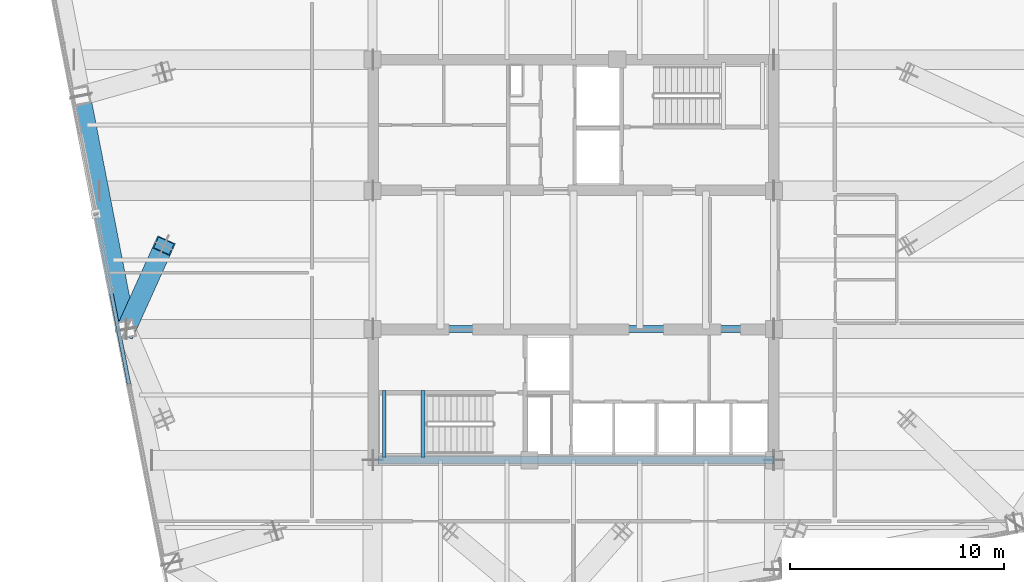
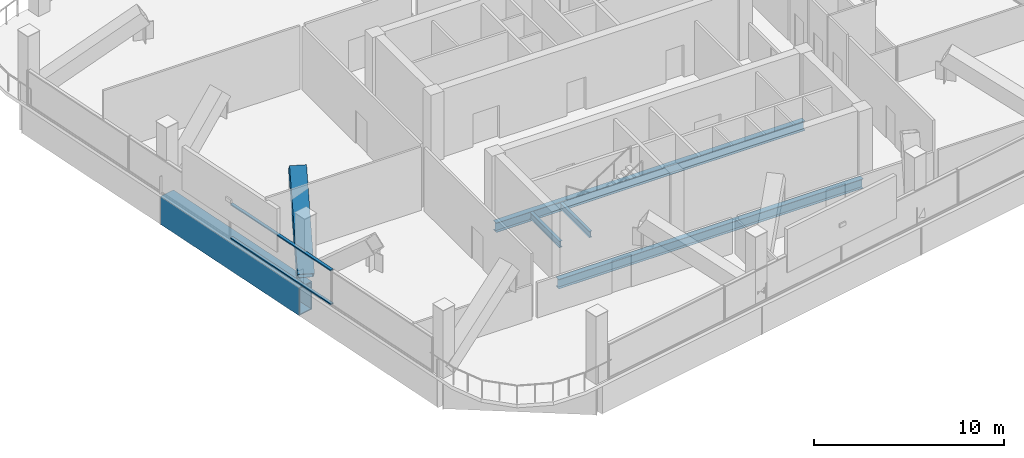
# One storey, part 5 of 26: 5 beams, 3 members, 1 element without a shape of its own.
"""IFC4 building model written with IfcOpenShell, lengths in metres."""

from ifc_helpers import new_model, si_unit, direction, frame, origin, origin_2d, place, context, subcontext, project, spatial, hollow_rectangle, i_section, extrude, material, layer, layer_set, material_profile, profile_set, type_object, element, aggregate, save


model = new_model("IFC4")

# Units and contexts
model_context = context("Model", 3, precision=1e-05, world=origin(), true_north=direction((0.0, 1.0)))
body_context = subcontext(model_context, "Body", "Model", "MODEL_VIEW")
ifc_project = project(units=[si_unit("LENGTHUNIT", "METRE"), si_unit("AREAUNIT", "SQUARE_METRE"), si_unit("VOLUMEUNIT", "CUBIC_METRE"), si_unit("PLANEANGLEUNIT", "RADIAN"), si_unit("MASSUNIT", "GRAM", prefix="KILO")], contexts=[model_context])

# Site, building, storey
site_placement = place(None, origin())
site = spatial("IfcSite", under=ifc_project, at=site_placement, CompositionType="ELEMENT")
building_placement = place(site_placement, origin())
building = spatial("IfcBuilding", under=site, at=building_placement, Name="Qhalaya Broadcast Tower", CompositionType="ELEMENT")
storey_placement = place(building_placement, frame((0.0, 0.0, 140.25)))
storey = spatial("IfcBuildingStorey", under=building, at=storey_placement, Name="L41", CompositionType="ELEMENT", Elevation=140.25)

# Beams
ifc_material_1 = material(Name="Structural Steel ASTM A572 Grade 50", Category="steel")
ifc_material_profile_1 = material_profile(ifc_material_1, hollow_rectangle(XDim=0.89990234375, YDim=1.800048828125, WallThickness=0.06005859375, at=origin_2d()), Name="BOX 900x1800x60")
ifc_profile_set_1 = profile_set([ifc_material_profile_1], Name="Structural Steel ASTM A572 Grade 50")
beam_type_1 = type_object("IfcBeamType", Name="Block Cantilever Transfer Box Girder TG1", PredefinedType="USERDEFINED", material=ifc_profile_set_1)
beam_1_placement = place(storey_placement, frame((-22.998291015625, 8.263427734375, -1.1201171875), z_axis=(0.190804900759, -0.981627979352, 0.0), x_axis=(0.981627979352, 0.190804900759, 0.0)))
element("IfcBeam", 1, at=beam_1_placement, inside=storey, type_object=beam_type_1, Name="L41 TG1 L41-SPR-14", ObjectType="GIRDER", PredefinedType="USERDEFINED", context=body_context, shape_type="SweptSolid", body=[
    extrude(hollow_rectangle(XDim=0.89990234375, YDim=1.800048828125, WallThickness=0.06005859375, at=origin_2d()), origin(), (0.0, 0.0, 1.0), 11.099853515625),
])
ifc_material_2 = material(Name="Structural Steel ASTM A992 Grade 50", Category="steel")
ifc_material_profile_2 = material_profile(ifc_material_2, i_section(OverallWidth=0.323974609375, OverallDepth=0.612060546875, WebThickness=0.0126953125, FlangeThickness=0.01904296875, at=origin_2d()), Name="W24X104")
ifc_profile_set_2 = profile_set([ifc_material_profile_2], Name="Structural Steel ASTM A992 Grade 50")
beam_type_2 = type_object("IfcBeamType", Name="Core Frame Tie Beam B04", PredefinedType="BEAM", material=ifc_profile_set_2)
beam_2_placement = place(storey_placement, frame((-9.375, -2.625, -0.52587890625), z_axis=(1.0, 0.0, 0.0), x_axis=(0.0, 1.0, 0.0)))
element("IfcBeam", 2, at=beam_2_placement, inside=storey, type_object=beam_type_2, Name="L41 B04 L41-CCS1", PredefinedType="BEAM", context=body_context, shape_type="SweptSolid", body=[
    extrude(i_section(OverallWidth=0.323974609375, OverallDepth=0.612060546875, WebThickness=0.0126953125, FlangeThickness=0.01904296875, at=origin_2d()), origin(), (0.0, 0.0, 1.0), 18.75),
])
beam_3_placement = place(storey_placement, frame((-9.1201171875, -8.75, -0.52587890625), z_axis=(1.0, 0.0, 0.0), x_axis=(0.0, 1.0, 0.0)))
element("IfcBeam", 3, at=beam_3_placement, inside=storey, type_object=beam_type_2, Name="L41 B04 L41-CCS3", PredefinedType="BEAM", context=body_context, shape_type="SweptSolid", body=[
    extrude(i_section(OverallWidth=0.323974609375, OverallDepth=0.612060546875, WebThickness=0.0126953125, FlangeThickness=0.01904296875, at=origin_2d()), origin(), (0.0, 0.0, 1.0), 18.4951171875),
])

# Member
ifc_material_profile_3 = material_profile(ifc_material_1, hollow_rectangle(XDim=0.89990234375, YDim=0.89990234375, WallThickness=0.054931640625, at=origin_2d()), Name="BOX 900x900x55")
ifc_profile_set_3 = profile_set([ifc_material_profile_3], Name="Structural Steel ASTM A572 Grade 50")
member_type_1 = type_object("IfcMemberType", Name="Heavy Exoskeleton Transfer Strut RK1", PredefinedType="BRACE", material=ifc_profile_set_3)
member_1_placement = place(storey_placement, frame((-20.88037109375, -2.632568359375, 0.337890625), z_axis=(0.300345866388, 0.664176767502, 0.684588622499), x_axis=(-0.911167185944, 0.412036842113, 0.0)))
element("IfcMember", 4, at=member_1_placement, inside=storey, type_object=member_type_1, Name="L41 Inclined Exoskeleton Transfer Strut 15", PredefinedType="BRACE", context=body_context, shape_type="SweptSolid", body=[
    extrude(hollow_rectangle(XDim=0.89990234375, YDim=0.89990234375, WallThickness=0.054931640625, at=origin_2d()), origin(), (0.0, 0.0, 1.0), 5.86083984375),
])

# Curtain wall, members
ifc_material_3 = material(Name="Fired Architectural Terracotta", Category="masonry")
ifc_layer = layer(ifc_material_3, 0.219970703125, Name="Fired Architectural Terracotta")
ifc_layer_set = layer_set([ifc_layer], Name="Fired Architectural Terracotta")
curtain_wall_type = type_object("IfcCurtainWallType", Name="Block-Cap Unitised Terracotta Spandrel Wall CW-07", PredefinedType="NOTDEFINED", material=ifc_layer_set)
curtain_wall_placement = place(storey_placement, origin())
curtain_wall = element("IfcCurtainWall", 5, at=curtain_wall_placement, inside=storey, type_object=curtain_wall_type, Name="L41 Unitised Curtain Wall L41-CW-W", PredefinedType="NOTDEFINED")
ifc_material_4 = material(Name="Anodised Aluminium 6063-T6", Category="aluminium")
ifc_material_profile_4 = material_profile(ifc_material_4, hollow_rectangle(XDim=0.074951171875, YDim=0.179931640625, WallThickness=0.00390625, at=origin_2d()), Name="ALU-TRN 75x180x4")
ifc_profile_set_4 = profile_set([ifc_material_profile_4], Name="Anodised Aluminium 6063-T6")
member_type_2 = type_object("IfcMemberType", Name="Unitised Curtain-Wall Transom T01", PredefinedType="USERDEFINED", material=ifc_profile_set_4)
member_2_placement = place(storey_placement, frame((-20.74853515625, -5.197998046875, 0.03759765625), z_axis=(-0.190803955268, 0.981628163132, 0.0), x_axis=(0.0, 0.0, 1.0)))
member_2 = element("IfcMember", 6, at=member_2_placement, type_object=member_type_2, Name="CW-07 transom 2.1", ObjectType="TRANSOM", PredefinedType="USERDEFINED", context=body_context, shape_type="SweptSolid", body=[
    extrude(hollow_rectangle(XDim=0.074951171875, YDim=0.179931640625, WallThickness=0.00390625, at=origin_2d()), origin(), (0.0, 0.0, 1.0), 8.055908203125),
])
member_3_placement = place(storey_placement, frame((-20.74853515625, -5.197998046875, 2.21240234375), z_axis=(-0.190803955268, 0.981628163132, 0.0), x_axis=(0.0, 0.0, 1.0)))
member_3 = element("IfcMember", 7, at=member_3_placement, type_object=member_type_2, Name="CW-07 transom 2.2", ObjectType="TRANSOM", PredefinedType="USERDEFINED", context=body_context, shape_type="SweptSolid", body=[
    extrude(hollow_rectangle(XDim=0.074951171875, YDim=0.179931640625, WallThickness=0.00390625, at=origin_2d()), origin(), (0.0, 0.0, 1.0), 8.055908203125),
])
aggregate(curtain_wall, [member_2, member_3])

# Beams
ifc_material_profile_5 = material_profile(ifc_material_2, i_section(OverallWidth=0.177978515625, OverallDepth=0.406005859375, WebThickness=0.0078125, FlangeThickness=0.0126953125, at=origin_2d()), Name="W16X40")
ifc_profile_set_5 = profile_set([ifc_material_profile_5], Name="Structural Steel ASTM A992 Grade 50")
beam_type_3 = type_object("IfcBeamType", Name="Upper Perimeter Spandrel Beam SP2", PredefinedType="SPANDREL", material=ifc_profile_set_5)
for number, where, z_axis, x_axis, name in (
    (8, (-8.830078125, -8.6201171875, 1.77197265625), (0.0, 1.0, 0.0), (-1.0, 0.0, 0.0), "L41 ST-2 Half-Landing Bearer Beam 1"),
    (9, (-7.014892578125, -8.6201171875, 1.77197265625), (0.0, 1.0, 0.0), (-1.0, 0.0, 0.0), "L41 ST-2 Half-Landing Bearer Beam 2"),
):
    element("IfcBeam", number, at=place(storey_placement, frame(where, z_axis=z_axis, x_axis=x_axis)), inside=storey, type_object=beam_type_3, Name=name, PredefinedType="SPANDREL", context=body_context, shape_type="SweptSolid", body=[
        extrude(i_section(OverallWidth=0.177978515625, OverallDepth=0.406005859375, WebThickness=0.0078125, FlangeThickness=0.0126953125, at=origin_2d()), origin(), (0.0, 0.0, 1.0), 3.1201171875),
    ])

save(model, "model.ifc")
